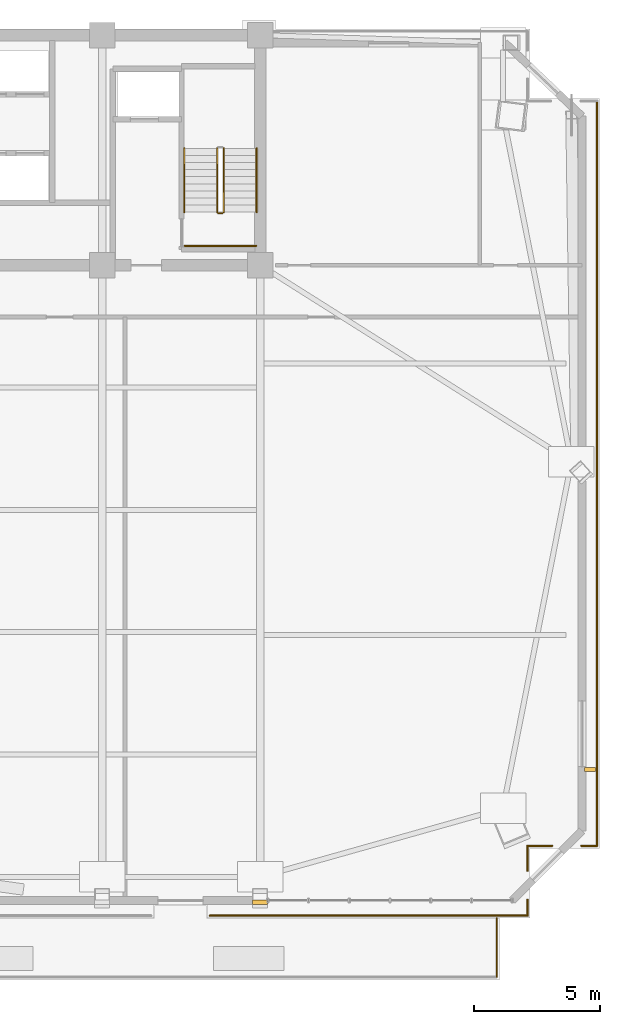
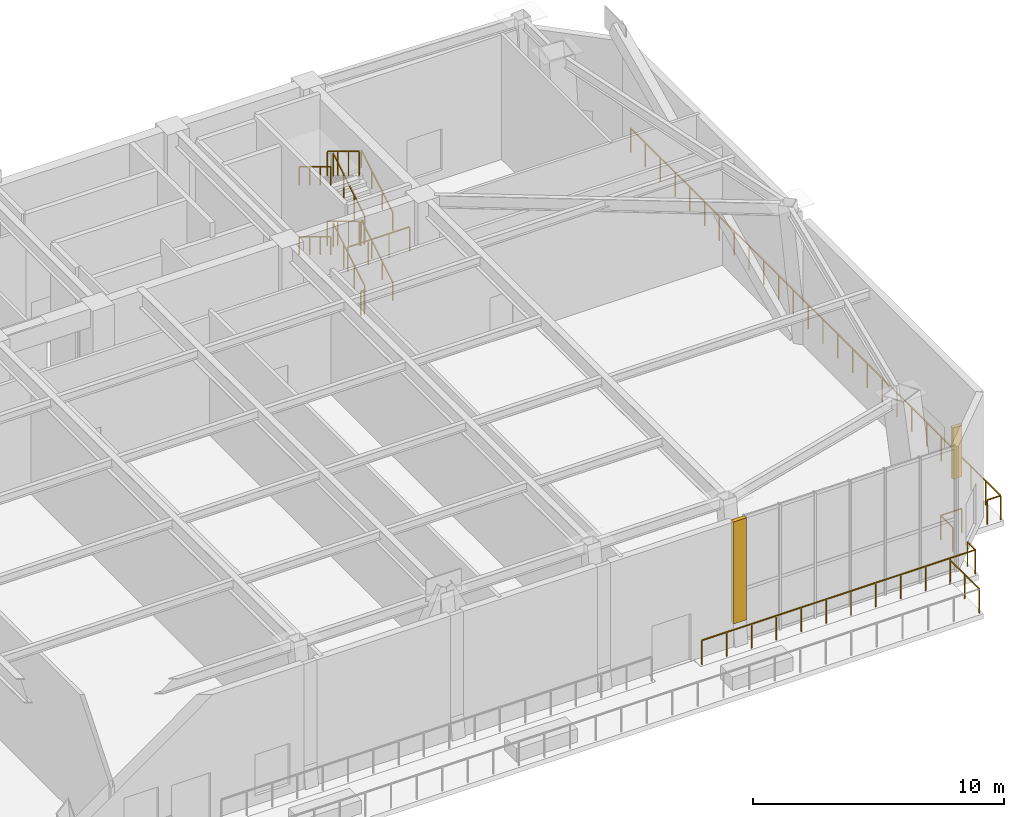
# One storey, part 14 of 16: 18 railings, 1 covering, 1 shading device.
"""IFC4 building model written with IfcOpenShell, lengths in metres."""

from ifc_helpers import new_model, si_unit, direction, frame, origin, origin_2d, place, context, subcontext, project, spatial, polyline, rectangle, outline, extrude, source, transform, mapped, material, layer, layer_set, type_object, element, save


model = new_model("IFC4")

# Units and contexts
model_context = context("Model", 3, precision=1e-05, world=origin(), true_north=direction((0.0, 1.0)))
body_context = subcontext(model_context, "Body", "Model", "MODEL_VIEW")
ifc_project = project(units=[si_unit("LENGTHUNIT", "METRE"), si_unit("AREAUNIT", "SQUARE_METRE"), si_unit("VOLUMEUNIT", "CUBIC_METRE"), si_unit("PLANEANGLEUNIT", "RADIAN"), si_unit("MASSUNIT", "GRAM", prefix="KILO")], contexts=[model_context])

# Site, building, storey
site_placement = place(None, origin())
site = spatial("IfcSite", under=ifc_project, at=site_placement, CompositionType="ELEMENT")
building_placement = place(site_placement, origin())
building = spatial("IfcBuilding", under=site, at=building_placement, Name="Giltprow Tower", CompositionType="ELEMENT")
storey_placement = place(building_placement, frame((0.0, 0.0, 220.199951171875)))
storey = spatial("IfcBuildingStorey", under=building, at=storey_placement, Name="L56", CompositionType="ELEMENT", Elevation=220.199951171875)

# Covering
ifc_material = material(Name="Anodized bronze", Category="metal")
ifc_layer = layer(ifc_material, 0.0400390625, Name="Anodized bronze")
ifc_layer_set = layer_set([ifc_layer], Name="Anodized bronze")
covering_type = type_object("IfcCoveringType", Name="COV-SOFFIT-BRONZE", PredefinedType="CLADDING", material=ifc_layer_set)
covering_placement = place(storey_placement, frame((0.0, 0.0, 1.10009765625)))
element("IfcCovering", 1, at=covering_placement, inside=storey, type_object=covering_type, Name="L56 Setback Pier Closure Cladding S-5", PredefinedType="CLADDING", context=body_context, shape_type="SweptSolid", body=[
    extrude(outline(polyline([(50.25, 12.157958984375), (50.85009765625, 12.157958984375), (50.85009765625, 12.337890625), (50.25, 12.337890625), (50.25, 12.157958984375)])), origin(), (0.0, 0.0, 1.0), 4.96484375),
])

# Railings
railing_type_1 = type_object("IfcRailingType", Name="RAIL-BALC-GUARD-1200", PredefinedType="BALUSTRADE", material=ifc_material)
railing_1_placement = place(storey_placement, frame((63.882080078125, 43.946044921875, 0.0)))
element("IfcRailing", 2, at=railing_1_placement, inside=storey, type_object=railing_type_1, Name="L56 Corner Apron Edge Balustrade 1", PredefinedType="BALUSTRADE", context=body_context, shape_type="SweptSolid", body=[
    extrude(rectangle(XDim=0.048095703125, YDim=0.048095703125, at=origin_2d()), frame((0.0, 0.0, 1.17578125), z_axis=(0.0, -1.0, 0.0), x_axis=(1.0, 0.0, 0.0)), (0.0, 0.0, 1.0), 29.47412109375),
    extrude(rectangle(XDim=0.0419921875, YDim=0.0419921875, at=origin_2d()), origin(), (0.0, 0.0, 1.0), 1.15185546875),
    extrude(rectangle(XDim=0.0419921875, YDim=0.0419921875, at=origin_2d()), frame((0.0, -1.178955078125, 0.0)), (0.0, 0.0, 1.0), 1.15185546875),
    extrude(rectangle(XDim=0.0419921875, YDim=0.0419921875, at=origin_2d()), frame((0.0, -2.35791015625, 0.0)), (0.0, 0.0, 1.0), 1.15185546875),
    extrude(rectangle(XDim=0.0419921875, YDim=0.0419921875, at=origin_2d()), frame((0.0, -3.536865234375, 0.0)), (0.0, 0.0, 1.0), 1.15185546875),
    extrude(rectangle(XDim=0.0419921875, YDim=0.0419921875, at=origin_2d()), frame((0.0, -4.7158203125, 0.0)), (0.0, 0.0, 1.0), 1.15185546875),
    extrude(rectangle(XDim=0.0419921875, YDim=0.0419921875, at=origin_2d()), frame((0.0, -5.894775390625, 0.0)), (0.0, 0.0, 1.0), 1.15185546875),
    extrude(rectangle(XDim=0.0419921875, YDim=0.0419921875, at=origin_2d()), frame((0.0, -7.07373046875, 0.0)), (0.0, 0.0, 1.0), 1.15185546875),
    extrude(rectangle(XDim=0.0419921875, YDim=0.0419921875, at=origin_2d()), frame((0.0, -8.252685546875, 0.0)), (0.0, 0.0, 1.0), 1.15185546875),
    extrude(rectangle(XDim=0.0419921875, YDim=0.0419921875, at=origin_2d()), frame((0.0, -9.431640625, 0.0)), (0.0, 0.0, 1.0), 1.15185546875),
    extrude(rectangle(XDim=0.0419921875, YDim=0.0419921875, at=origin_2d()), frame((0.0, -10.610595703125, 0.0)), (0.0, 0.0, 1.0), 1.15185546875),
    extrude(rectangle(XDim=0.0419921875, YDim=0.0419921875, at=origin_2d()), frame((0.0, -11.78955078125, 0.0)), (0.0, 0.0, 1.0), 1.15185546875),
    extrude(rectangle(XDim=0.0419921875, YDim=0.0419921875, at=origin_2d()), frame((0.0, -12.968505859375, 0.0)), (0.0, 0.0, 1.0), 1.15185546875),
    extrude(rectangle(XDim=0.0419921875, YDim=0.0419921875, at=origin_2d()), frame((0.0, -14.1474609375, 0.0)), (0.0, 0.0, 1.0), 1.15185546875),
    extrude(rectangle(XDim=0.0419921875, YDim=0.0419921875, at=origin_2d()), frame((0.0, -15.32666015625, 0.0)), (0.0, 0.0, 1.0), 1.15185546875),
    extrude(rectangle(XDim=0.0419921875, YDim=0.0419921875, at=origin_2d()), frame((0.0, -16.505615234375, 0.0)), (0.0, 0.0, 1.0), 1.15185546875),
    extrude(rectangle(XDim=0.0419921875, YDim=0.0419921875, at=origin_2d()), frame((0.0, -17.6845703125, 0.0)), (0.0, 0.0, 1.0), 1.15185546875),
    extrude(rectangle(XDim=0.0419921875, YDim=0.0419921875, at=origin_2d()), frame((0.0, -18.863525390625, 0.0)), (0.0, 0.0, 1.0), 1.15185546875),
    extrude(rectangle(XDim=0.0419921875, YDim=0.0419921875, at=origin_2d()), frame((0.0, -20.04248046875, 0.0)), (0.0, 0.0, 1.0), 1.15185546875),
    extrude(rectangle(XDim=0.0419921875, YDim=0.0419921875, at=origin_2d()), frame((0.0, -21.221435546875, 0.0)), (0.0, 0.0, 1.0), 1.15185546875),
    extrude(rectangle(XDim=0.0419921875, YDim=0.0419921875, at=origin_2d()), frame((0.0, -22.400390625, 0.0)), (0.0, 0.0, 1.0), 1.15185546875),
    extrude(rectangle(XDim=0.0419921875, YDim=0.0419921875, at=origin_2d()), frame((0.0, -23.579345703125, 0.0)), (0.0, 0.0, 1.0), 1.15185546875),
    extrude(rectangle(XDim=0.0419921875, YDim=0.0419921875, at=origin_2d()), frame((0.0, -24.75830078125, 0.0)), (0.0, 0.0, 1.0), 1.15185546875),
    extrude(rectangle(XDim=0.0419921875, YDim=0.0419921875, at=origin_2d()), frame((0.0, -25.937255859375, 0.0)), (0.0, 0.0, 1.0), 1.15185546875),
    extrude(rectangle(XDim=0.0419921875, YDim=0.0419921875, at=origin_2d()), frame((0.0, -27.1162109375, 0.0)), (0.0, 0.0, 1.0), 1.15185546875),
    extrude(rectangle(XDim=0.0419921875, YDim=0.0419921875, at=origin_2d()), frame((0.0, -28.295166015625, 0.0)), (0.0, 0.0, 1.0), 1.15185546875),
    extrude(rectangle(XDim=0.0419921875, YDim=0.0419921875, at=origin_2d()), frame((0.0, -29.47412109375, 0.0)), (0.0, 0.0, 1.0), 1.15185546875),
])
railing_2_placement = place(storey_placement, frame((63.882080078125, 14.471923828125, 0.0)))
element("IfcRailing", 3, at=railing_2_placement, inside=storey, type_object=railing_type_1, Name="L56 Corner Apron Edge Balustrade 2", PredefinedType="BALUSTRADE", context=body_context, shape_type="SweptSolid", body=[
    extrude(rectangle(XDim=0.048095703125, YDim=0.048095703125, at=origin_2d()), frame((0.0, 0.0, 1.17578125), z_axis=(-1.0, 0.0, 0.0), x_axis=(0.0, -1.0, 0.0)), (0.0, 0.0, 1.0), 0.6201171875),
    extrude(rectangle(XDim=0.0419921875, YDim=0.0419921875, at=origin_2d()), origin(), (0.0, 0.0, 1.0), 1.15185546875),
    extrude(rectangle(XDim=0.0419921875, YDim=0.0419921875, at=origin_2d()), frame((-0.6201171875, 0.0, 0.0)), (0.0, 0.0, 1.0), 1.15185546875),
])
railing_3_placement = place(storey_placement, frame((62.10205078125, 14.471923828125, 0.0)))
element("IfcRailing", 4, at=railing_3_placement, inside=storey, type_object=railing_type_1, Name="L56 Corner Apron Edge Balustrade 3", PredefinedType="BALUSTRADE", context=body_context, shape_type="SweptSolid", body=[
    extrude(rectangle(XDim=0.048095703125, YDim=0.048095703125, at=origin_2d()), frame((0.0, 0.0, 1.17578125), z_axis=(-1.0, 0.0, 0.0), x_axis=(0.0, -1.0, 0.0)), (0.0, 0.0, 1.0), 0.97412109375),
    extrude(rectangle(XDim=0.0419921875, YDim=0.0419921875, at=origin_2d()), origin(), (0.0, 0.0, 1.0), 1.15185546875),
    extrude(rectangle(XDim=0.0419921875, YDim=0.0419921875, at=origin_2d()), frame((-0.97412109375, 0.0, 0.0)), (0.0, 0.0, 1.0), 1.15185546875),
])
railing_4_placement = place(storey_placement, frame((61.1279296875, 14.471923828125, 0.0)))
element("IfcRailing", 5, at=railing_4_placement, inside=storey, type_object=railing_type_1, Name="L56 Corner Apron Edge Balustrade 4", PredefinedType="BALUSTRADE", context=body_context, shape_type="SweptSolid", body=[
    extrude(rectangle(XDim=0.048095703125, YDim=0.048095703125, at=origin_2d()), frame((0.0, 0.0, 1.17578125), z_axis=(0.0, -1.0, 0.0), x_axis=(1.0, 0.0, 0.0)), (0.0, 0.0, 1.0), 0.973876953125),
    extrude(rectangle(XDim=0.0419921875, YDim=0.0419921875, at=origin_2d()), origin(), (0.0, 0.0, 1.0), 1.15185546875),
    extrude(rectangle(XDim=0.0419921875, YDim=0.0419921875, at=origin_2d()), frame((0.0, -0.973876953125, 0.0)), (0.0, 0.0, 1.0), 1.15185546875),
])
railing_5_placement = place(storey_placement, frame((61.1279296875, 12.337890625, 0.0)))
element("IfcRailing", 6, at=railing_5_placement, inside=storey, type_object=railing_type_1, Name="L56 Corner Apron Edge Balustrade 5", PredefinedType="BALUSTRADE", context=body_context, shape_type="SweptSolid", body=[
    extrude(rectangle(XDim=0.048095703125, YDim=0.048095703125, at=origin_2d()), frame((0.0, 0.0, 1.17578125), z_axis=(0.0, -1.0, 0.0), x_axis=(1.0, 0.0, 0.0)), (0.0, 0.0, 1.0), 0.619873046875),
    extrude(rectangle(XDim=0.0419921875, YDim=0.0419921875, at=origin_2d()), origin(), (0.0, 0.0, 1.0), 1.15185546875),
    extrude(rectangle(XDim=0.0419921875, YDim=0.0419921875, at=origin_2d()), frame((0.0, -0.619873046875, 0.0)), (0.0, 0.0, 1.0), 1.15185546875),
])
railing_6_placement = place(storey_placement, frame((61.1279296875, 11.718017578125, 0.0)))
element("IfcRailing", 7, at=railing_6_placement, inside=storey, type_object=railing_type_1, Name="L56 Corner Apron Edge Balustrade 6", PredefinedType="BALUSTRADE", context=body_context, shape_type="SweptSolid", body=[
    extrude(rectangle(XDim=0.048095703125, YDim=0.048095703125, at=origin_2d()), frame((0.0, 0.0, 1.17578125), z_axis=(-1.0, 0.0, 0.0), x_axis=(0.0, -1.0, 0.0)), (0.0, 0.0, 1.0), 12.577880859375),
    extrude(rectangle(XDim=0.0419921875, YDim=0.0419921875, at=origin_2d()), origin(), (0.0, 0.0, 1.0), 1.15185546875),
    extrude(rectangle(XDim=0.0419921875, YDim=0.0419921875, at=origin_2d()), frame((-1.1435546875, 0.0, 0.0)), (0.0, 0.0, 1.0), 1.15185546875),
    extrude(rectangle(XDim=0.0419921875, YDim=0.0419921875, at=origin_2d()), frame((-2.286865234375, 0.0, 0.0)), (0.0, 0.0, 1.0), 1.15185546875),
    extrude(rectangle(XDim=0.0419921875, YDim=0.0419921875, at=origin_2d()), frame((-3.430419921875, 0.0, 0.0)), (0.0, 0.0, 1.0), 1.15185546875),
    extrude(rectangle(XDim=0.0419921875, YDim=0.0419921875, at=origin_2d()), frame((-4.57373046875, 0.0, 0.0)), (0.0, 0.0, 1.0), 1.15185546875),
    extrude(rectangle(XDim=0.0419921875, YDim=0.0419921875, at=origin_2d()), frame((-5.71728515625, 0.0, 0.0)), (0.0, 0.0, 1.0), 1.15185546875),
    extrude(rectangle(XDim=0.0419921875, YDim=0.0419921875, at=origin_2d()), frame((-6.860595703125, 0.0, 0.0)), (0.0, 0.0, 1.0), 1.15185546875),
    extrude(rectangle(XDim=0.0419921875, YDim=0.0419921875, at=origin_2d()), frame((-8.004150390625, 0.0, 0.0)), (0.0, 0.0, 1.0), 1.15185546875),
    extrude(rectangle(XDim=0.0419921875, YDim=0.0419921875, at=origin_2d()), frame((-9.1474609375, 0.0, 0.0)), (0.0, 0.0, 1.0), 1.15185546875),
    extrude(rectangle(XDim=0.0419921875, YDim=0.0419921875, at=origin_2d()), frame((-10.291015625, 0.0, 0.0)), (0.0, 0.0, 1.0), 1.15185546875),
    extrude(rectangle(XDim=0.0419921875, YDim=0.0419921875, at=origin_2d()), frame((-11.434326171875, 0.0, 0.0)), (0.0, 0.0, 1.0), 1.15185546875),
    extrude(rectangle(XDim=0.0419921875, YDim=0.0419921875, at=origin_2d()), frame((-12.577880859375, 0.0, 0.0)), (0.0, 0.0, 1.0), 1.15185546875),
])
railing_type_2 = type_object("IfcRailingType", Name="RAIL-STAIR-GUARD-1200", PredefinedType="GUARDRAIL", material=ifc_material)
railing_7_placement = place(storey_placement, frame((49.110107421875, 39.550048828125, 0.170166015625)))
element("IfcRailing", 8, at=railing_7_placement, inside=storey, type_object=railing_type_2, Name="L56 ST-3 stair guard 1", PredefinedType="GUARDRAIL", context=body_context, shape_type="SweptSolid", body=[
    extrude(rectangle(XDim=0.048095703125, YDim=0.048095703125, at=origin_2d()), frame((0.0, 0.0, 1.17578125), z_axis=(0.0, 0.854821627497, 0.518921945155), x_axis=(-1.0, 0.0, 0.0)), (0.0, 0.0, 1.0), 2.947998046875),
    extrude(rectangle(XDim=0.0419921875, YDim=0.0419921875, at=origin_2d()), origin(), (0.0, 0.0, 1.0), 1.15185546875),
    extrude(rectangle(XDim=0.0419921875, YDim=0.0419921875, at=origin_2d()), frame((0.0, 0.840087890625, 0.510009765625)), (0.0, 0.0, 1.0), 1.15185546875),
    extrude(rectangle(XDim=0.0419921875, YDim=0.0419921875, at=origin_2d()), frame((0.0, 1.679931640625, 1.019775390625)), (0.0, 0.0, 1.0), 1.15185546875),
    extrude(rectangle(XDim=0.0419921875, YDim=0.0419921875, at=origin_2d()), frame((0.0, 2.52001953125, 1.52978515625)), (0.0, 0.0, 1.0), 1.15185546875),
])
railing_8_placement = place(storey_placement, frame((48.85009765625, 42.070068359375, 1.8701171875)))
element("IfcRailing", 9, at=railing_8_placement, inside=storey, type_object=railing_type_2, Name="L56 ST-3 stair guard 3", PredefinedType="GUARDRAIL", context=body_context, shape_type="SweptSolid", body=[
    extrude(rectangle(XDim=0.048095703125, YDim=0.048095703125, at=origin_2d()), frame((0.0, 0.0, 1.17578125), z_axis=(0.0, -0.85478489116, 0.518982456201), x_axis=(1.0, 0.0, 0.0)), (0.0, 0.0, 1.0), 2.9482421875),
    extrude(rectangle(XDim=0.0419921875, YDim=0.0419921875, at=origin_2d()), origin(), (0.0, 0.0, 1.0), 1.15185546875),
    extrude(rectangle(XDim=0.0419921875, YDim=0.0419921875, at=origin_2d()), frame((0.0, -0.840087890625, 0.510009765625)), (0.0, 0.0, 1.0), 1.15185546875),
    extrude(rectangle(XDim=0.0419921875, YDim=0.0419921875, at=origin_2d()), frame((0.0, -1.679931640625, 1.02001953125)), (0.0, 0.0, 1.0), 1.15185546875),
    extrude(rectangle(XDim=0.0419921875, YDim=0.0419921875, at=origin_2d()), frame((0.0, -2.52001953125, 1.530029296875)), (0.0, 0.0, 1.0), 1.15185546875),
])
railing_9_placement = place(storey_placement, frame((49.06005859375, 39.5, 3.400146484375)))
element("IfcRailing", 10, at=railing_9_placement, inside=storey, type_object=railing_type_2, Name="L56 ST-3 stair guard 4", PredefinedType="GUARDRAIL", context=body_context, shape_type="SweptSolid", body=[
    extrude(rectangle(XDim=0.048095703125, YDim=0.048095703125, at=origin_2d()), frame((0.0, 0.0, 1.17578125), z_axis=(-1.0, 0.0, 0.0), x_axis=(0.0, -1.0, 0.0)), (0.0, 0.0, 1.0), 0.16015625),
    extrude(rectangle(XDim=0.0419921875, YDim=0.0419921875, at=origin_2d()), origin(), (0.0, 0.0, 1.0), 1.15185546875),
    extrude(rectangle(XDim=0.0419921875, YDim=0.0419921875, at=origin_2d()), frame((-0.16015625, 0.0, 0.0)), (0.0, 0.0, 1.0), 1.15185546875),
])
railing_10_placement = place(storey_placement, frame((49.110107421875, 39.550048828125, 3.570068359375)))
element("IfcRailing", 11, at=railing_10_placement, inside=storey, type_object=railing_type_2, Name="L56 ST-3 stair guard 5", PredefinedType="GUARDRAIL", context=body_context, shape_type="SweptSolid", body=[
    extrude(rectangle(XDim=0.048095703125, YDim=0.048095703125, at=origin_2d()), frame((0.0, 0.0, 1.17578125), z_axis=(0.0, 0.85478489116, 0.518982456201), x_axis=(-1.0, 0.0, 0.0)), (0.0, 0.0, 1.0), 2.9482421875),
    extrude(rectangle(XDim=0.0419921875, YDim=0.0419921875, at=origin_2d()), origin(), (0.0, 0.0, 1.0), 1.15185546875),
    extrude(rectangle(XDim=0.0419921875, YDim=0.0419921875, at=origin_2d()), frame((0.0, 0.840087890625, 0.510009765625)), (0.0, 0.0, 1.0), 1.15185546875),
    extrude(rectangle(XDim=0.0419921875, YDim=0.0419921875, at=origin_2d()), frame((0.0, 1.679931640625, 1.02001953125)), (0.0, 0.0, 1.0), 1.15185546875),
    extrude(rectangle(XDim=0.0419921875, YDim=0.0419921875, at=origin_2d()), frame((0.0, 2.52001953125, 1.530029296875)), (0.0, 0.0, 1.0), 1.15185546875),
])
railing_11_placement = place(storey_placement, frame((48.85009765625, 42.070068359375, 5.27001953125)))
element("IfcRailing", 12, at=railing_11_placement, inside=storey, type_object=railing_type_2, Name="L56 ST-3 stair guard 7", PredefinedType="GUARDRAIL", context=body_context, shape_type="SweptSolid", body=[
    extrude(rectangle(XDim=0.048095703125, YDim=0.048095703125, at=origin_2d()), frame((0.0, 0.0, 1.17578125), z_axis=(0.0, -0.85478489116, 0.518982456201), x_axis=(1.0, 0.0, 0.0)), (0.0, 0.0, 1.0), 2.9482421875),
    extrude(rectangle(XDim=0.0419921875, YDim=0.0419921875, at=origin_2d()), origin(), (0.0, 0.0, 1.0), 1.15185546875),
    extrude(rectangle(XDim=0.0419921875, YDim=0.0419921875, at=origin_2d()), frame((0.0, -0.840087890625, 0.510009765625)), (0.0, 0.0, 1.0), 1.15185546875),
    extrude(rectangle(XDim=0.0419921875, YDim=0.0419921875, at=origin_2d()), frame((0.0, -1.679931640625, 1.02001953125)), (0.0, 0.0, 1.0), 1.15185546875),
    extrude(rectangle(XDim=0.0419921875, YDim=0.0419921875, at=origin_2d()), frame((0.0, -2.52001953125, 1.530029296875)), (0.0, 0.0, 1.0), 1.15185546875),
])
railing_12_placement = place(storey_placement, frame((49.06005859375, 39.5, 0.0)))
element("IfcRailing", 13, at=railing_12_placement, inside=storey, type_object=railing_type_2, Name="L56 ST-3 stair guard 8", PredefinedType="GUARDRAIL", context=body_context, shape_type="SweptSolid", body=[
    extrude(rectangle(XDim=0.048095703125, YDim=0.048095703125, at=origin_2d()), frame((0.0, 0.0, 1.17578125), z_axis=(-1.0, 0.0, 0.0), x_axis=(0.0, -1.0, 0.0)), (0.0, 0.0, 1.0), 0.16015625),
    extrude(rectangle(XDim=0.0419921875, YDim=0.0419921875, at=origin_2d()), origin(), (0.0, 0.0, 1.0), 1.15185546875),
    extrude(rectangle(XDim=0.0419921875, YDim=0.0419921875, at=origin_2d()), frame((-0.16015625, 0.0, 0.0)), (0.0, 0.0, 1.0), 1.15185546875),
])
railing_13_placement = place(storey_placement, frame((47.56005859375, 38.2099609375, 3.400146484375)))
element("IfcRailing", 14, at=railing_13_placement, inside=storey, type_object=railing_type_2, Name="L56 ST-3 Mid-Landing Guard 2", PredefinedType="GUARDRAIL", context=body_context, shape_type="SweptSolid", body=[
    extrude(rectangle(XDim=0.048095703125, YDim=0.048095703125, at=origin_2d()), frame((0.0, 0.0, 1.17578125), z_axis=(1.0, 0.0, 0.0), x_axis=(0.0, 1.0, 0.0)), (0.0, 0.0, 1.0), 2.83984375),
    extrude(rectangle(XDim=0.0419921875, YDim=0.0419921875, at=origin_2d()), origin(), (0.0, 0.0, 1.0), 1.15185546875),
    extrude(rectangle(XDim=0.0419921875, YDim=0.0419921875, at=origin_2d()), frame((0.946533203125, 0.0, 0.0)), (0.0, 0.0, 1.0), 1.15185546875),
    extrude(rectangle(XDim=0.0419921875, YDim=0.0419921875, at=origin_2d()), frame((1.893310546875, 0.0, 0.0)), (0.0, 0.0, 1.0), 1.15185546875),
    extrude(rectangle(XDim=0.0419921875, YDim=0.0419921875, at=origin_2d()), frame((2.83984375, 0.0, 0.0)), (0.0, 0.0, 1.0), 1.15185546875),
])
railing_type_3 = type_object("IfcRailingType", Name="RAIL-STAIR-HAND-900", PredefinedType="HANDRAIL", material=ifc_material)
railing_14_placement = place(storey_placement, frame((50.409912109375, 39.550048828125, 0.170166015625)))
element("IfcRailing", 15, at=railing_14_placement, inside=storey, type_object=railing_type_3, Name="L56 ST-3 stair handrail 1", PredefinedType="HANDRAIL", context=body_context, shape_type="SweptSolid", body=[
    extrude(rectangle(XDim=0.048095703125, YDim=0.048095703125, at=origin_2d()), frame((0.0, 0.0, 0.8759765625), z_axis=(0.0, 0.854821627497, 0.518921945155), x_axis=(-1.0, 0.0, 0.0)), (0.0, 0.0, 1.0), 2.947998046875),
    extrude(rectangle(XDim=0.0419921875, YDim=0.0419921875, at=origin_2d()), origin(), (0.0, 0.0, 1.0), 0.851806640625),
    extrude(rectangle(XDim=0.0419921875, YDim=0.0419921875, at=origin_2d()), frame((0.0, 0.840087890625, 0.510009765625)), (0.0, 0.0, 1.0), 0.851806640625),
    extrude(rectangle(XDim=0.0419921875, YDim=0.0419921875, at=origin_2d()), frame((0.0, 1.679931640625, 1.019775390625)), (0.0, 0.0, 1.0), 0.851806640625),
    extrude(rectangle(XDim=0.0419921875, YDim=0.0419921875, at=origin_2d()), frame((0.0, 2.52001953125, 1.52978515625)), (0.0, 0.0, 1.0), 0.851806640625),
])
railing_15_placement = place(storey_placement, frame((47.550048828125, 42.070068359375, 1.8701171875)))
element("IfcRailing", 16, at=railing_15_placement, inside=storey, type_object=railing_type_3, Name="L56 ST-3 stair handrail 2", PredefinedType="HANDRAIL", context=body_context, shape_type="SweptSolid", body=[
    extrude(rectangle(XDim=0.048095703125, YDim=0.048095703125, at=origin_2d()), frame((0.0, 0.0, 0.8759765625), z_axis=(0.0, -0.85478489116, 0.518982456201), x_axis=(1.0, 0.0, 0.0)), (0.0, 0.0, 1.0), 2.9482421875),
    extrude(rectangle(XDim=0.0419921875, YDim=0.0419921875, at=origin_2d()), origin(), (0.0, 0.0, 1.0), 0.851806640625),
    extrude(rectangle(XDim=0.0419921875, YDim=0.0419921875, at=origin_2d()), frame((0.0, -0.840087890625, 0.510009765625)), (0.0, 0.0, 1.0), 0.851806640625),
    extrude(rectangle(XDim=0.0419921875, YDim=0.0419921875, at=origin_2d()), frame((0.0, -1.679931640625, 1.02001953125)), (0.0, 0.0, 1.0), 0.851806640625),
    extrude(rectangle(XDim=0.0419921875, YDim=0.0419921875, at=origin_2d()), frame((0.0, -2.52001953125, 1.530029296875)), (0.0, 0.0, 1.0), 0.851806640625),
])
railing_16_placement = place(storey_placement, frame((50.409912109375, 39.550048828125, 3.570068359375)))
element("IfcRailing", 17, at=railing_16_placement, inside=storey, type_object=railing_type_3, Name="L56 ST-3 stair handrail 3", PredefinedType="HANDRAIL", context=body_context, shape_type="SweptSolid", body=[
    extrude(rectangle(XDim=0.048095703125, YDim=0.048095703125, at=origin_2d()), frame((0.0, 0.0, 0.8759765625), z_axis=(0.0, 0.85478489116, 0.518982456201), x_axis=(-1.0, 0.0, 0.0)), (0.0, 0.0, 1.0), 2.9482421875),
    extrude(rectangle(XDim=0.0419921875, YDim=0.0419921875, at=origin_2d()), origin(), (0.0, 0.0, 1.0), 0.851806640625),
    extrude(rectangle(XDim=0.0419921875, YDim=0.0419921875, at=origin_2d()), frame((0.0, 0.840087890625, 0.510009765625)), (0.0, 0.0, 1.0), 0.851806640625),
    extrude(rectangle(XDim=0.0419921875, YDim=0.0419921875, at=origin_2d()), frame((0.0, 1.679931640625, 1.02001953125)), (0.0, 0.0, 1.0), 0.851806640625),
    extrude(rectangle(XDim=0.0419921875, YDim=0.0419921875, at=origin_2d()), frame((0.0, 2.52001953125, 1.530029296875)), (0.0, 0.0, 1.0), 0.851806640625),
])
railing_17_placement = place(storey_placement, frame((47.550048828125, 42.070068359375, 5.27001953125)))
element("IfcRailing", 18, at=railing_17_placement, inside=storey, type_object=railing_type_3, Name="L56 ST-3 stair handrail 4", PredefinedType="HANDRAIL", context=body_context, shape_type="SweptSolid", body=[
    extrude(rectangle(XDim=0.048095703125, YDim=0.048095703125, at=origin_2d()), frame((0.0, 0.0, 0.8759765625), z_axis=(0.0, -0.85478489116, 0.518982456201), x_axis=(1.0, 0.0, 0.0)), (0.0, 0.0, 1.0), 2.9482421875),
    extrude(rectangle(XDim=0.0419921875, YDim=0.0419921875, at=origin_2d()), origin(), (0.0, 0.0, 1.0), 0.851806640625),
    extrude(rectangle(XDim=0.0419921875, YDim=0.0419921875, at=origin_2d()), frame((0.0, -0.840087890625, 0.510009765625)), (0.0, 0.0, 1.0), 0.851806640625),
    extrude(rectangle(XDim=0.0419921875, YDim=0.0419921875, at=origin_2d()), frame((0.0, -1.679931640625, 1.02001953125)), (0.0, 0.0, 1.0), 0.851806640625),
    extrude(rectangle(XDim=0.0419921875, YDim=0.0419921875, at=origin_2d()), frame((0.0, -2.52001953125, 1.530029296875)), (0.0, 0.0, 1.0), 0.851806640625),
])
railing_type_4 = type_object("IfcRailingType", Name="RAIL-TERR-BAL-1200", PredefinedType="BALUSTRADE", material=ifc_material)
railing_18_placement = place(storey_placement, frame((59.907958984375, 9.2880859375, 0.0)))
element("IfcRailing", 19, at=railing_18_placement, inside=storey, type_object=railing_type_4, Name="L56 Sky Garden Guardrail Seg 3", PredefinedType="BALUSTRADE", context=body_context, shape_type="SweptSolid", body=[
    extrude(rectangle(XDim=0.048095703125, YDim=0.048095703125, at=origin_2d()), frame((0.0, 0.0, 1.17578125), z_axis=(0.0, 1.0, 0.0), x_axis=(-1.0, 0.0, 0.0)), (0.0, 0.0, 1.0), 2.329833984375),
    extrude(rectangle(XDim=0.0419921875, YDim=0.0419921875, at=origin_2d()), origin(), (0.0, 0.0, 1.0), 1.15185546875),
    extrude(rectangle(XDim=0.0419921875, YDim=0.0419921875, at=origin_2d()), frame((0.0, 1.1650390625, 0.0)), (0.0, 0.0, 1.0), 1.15185546875),
    extrude(rectangle(XDim=0.0419921875, YDim=0.0419921875, at=origin_2d()), frame((0.0, 2.329833984375, 0.0)), (0.0, 0.0, 1.0), 1.15185546875),
])

# Shading device
shading_device_type = type_object("IfcShadingDeviceType", Name="SHD-FIN-420", PredefinedType="USERDEFINED", material=ifc_material)
shared_shape = source(origin(), body_context, "Body", "SweptSolid", [
    extrude(rectangle(XDim=0.419921875, YDim=0.159912109375, at=origin_2d()), origin(), (0.0, 0.0, 1.0), 2.5),
])
shading_device_placement = place(storey_placement, frame((63.60205078125, 17.489990234375, 0.35009765625), z_axis=(0.0, 0.0, 1.0), x_axis=(1.0, 0.0, 0.0)))
element("IfcShadingDevice", 20, at=shading_device_placement, inside=storey, type_object=shading_device_type, Name="L56 E Bronze Vertical Fin 1-1", ObjectType="FIN", PredefinedType="USERDEFINED", context=body_context, shape_type="MappedRepresentation", body=[
    mapped(shared_shape, transform((0.0, 0.0, 0.0), x_axis=(1.0, 0.0, 0.0), y_axis=(0.0, 1.0, 0.0), z_axis=(0.0, 0.0, 1.0), scale=1.0)),
])

save(model, "model.ifc")
